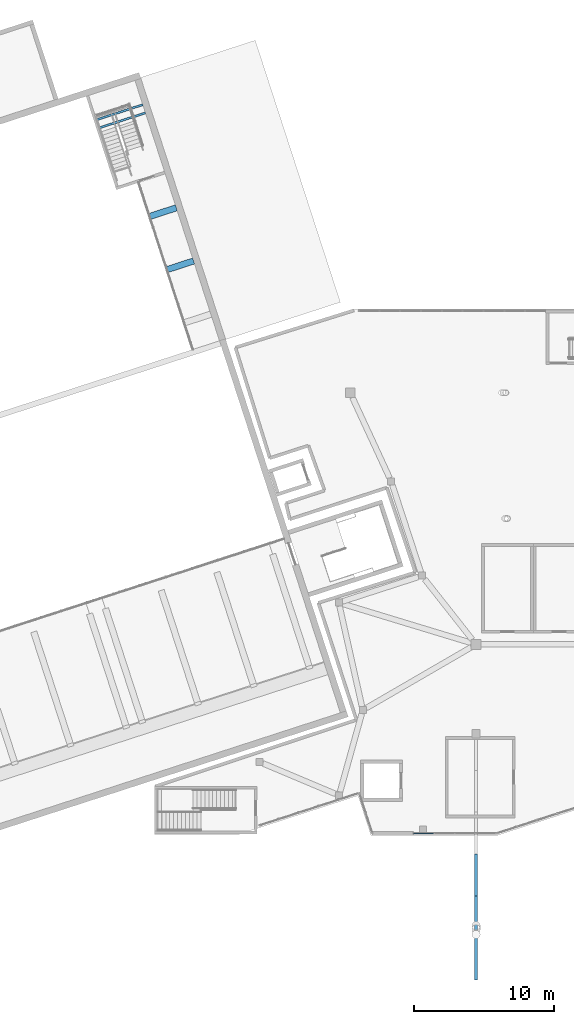
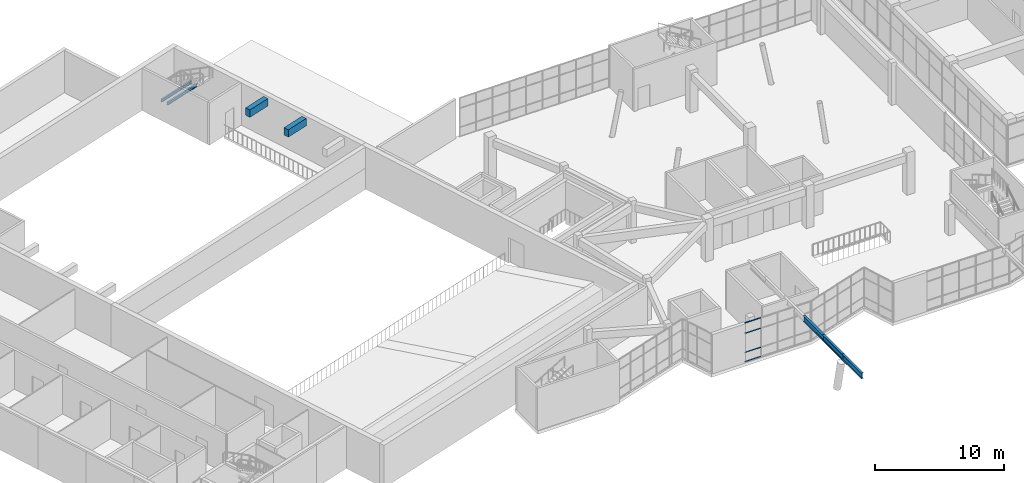
# One storey, part 5 of 65: 7 members, 4 beams, 1 element without a shape of its own.
"""IFC4 building model written with IfcOpenShell, lengths in metres."""

from ifc_helpers import new_model, si_unit, direction, frame, origin, origin_2d, place, context, subcontext, project, spatial, rectangle, hollow_rectangle, i_section, extrude, material, layer, layer_set, material_profile, profile_set, type_object, element, aggregate, save


model = new_model("IFC4")

# Units and contexts
model_context = context("Model", 3, precision=1e-05, world=origin(), true_north=direction((0.0, 1.0)))
body_context = subcontext(model_context, "Body", "Model", "MODEL_VIEW")
ifc_project = project(units=[si_unit("LENGTHUNIT", "METRE"), si_unit("AREAUNIT", "SQUARE_METRE"), si_unit("VOLUMEUNIT", "CUBIC_METRE"), si_unit("PLANEANGLEUNIT", "RADIAN"), si_unit("MASSUNIT", "GRAM", prefix="KILO")], contexts=[model_context])

# Site, building, storey
site_placement = place(None, origin())
site = spatial("IfcSite", under=ifc_project, at=site_placement, CompositionType="ELEMENT")
building_placement = place(site_placement, origin())
building = spatial("IfcBuilding", under=site, at=building_placement, Name="Tuart Plaza Theatre", CompositionType="ELEMENT")
storey_placement = place(building_placement, frame((0.0, 0.0, 9.5)))
storey = spatial("IfcBuildingStorey", under=building, at=storey_placement, Name="L02", CompositionType="ELEMENT", Elevation=9.5)

# Beams
ifc_material_1 = material(Name="Steel Grade 300", Category="steel")
ifc_material_profile_1 = material_profile(ifc_material_1, i_section(OverallWidth=0.14599609375, OverallDepth=0.256103515625, WebThickness=0.00634765625, FlangeThickness=0.010986328125, FilletRadius=0.0087890625, at=origin_2d()), Name="250UB37.3")
ifc_profile_set_1 = profile_set([ifc_material_profile_1], Name="Steel Grade 300")
beam_type_1 = type_object("IfcBeamType", Name="BEAM 250UB37.3", PredefinedType="BEAM", material=ifc_profile_set_1)
for number, where, z_axis, x_axis, name in (
    (1, (59.861572265625, 93.521484375, 1.672119140625), (0.951044910246, 0.30905271184, 0.0), (-0.30905271184, 0.951044910246, 0.0), "SB45"),
    (2, (60.0517578125, 92.936767578125, 1.672119140625), (0.951065558197, 0.308989164878, 0.0), (-0.308989164878, 0.951065558197, 0.0), "SB46"),
):
    element("IfcBeam", number, at=place(storey_placement, frame(where, z_axis=z_axis, x_axis=x_axis)), inside=storey, type_object=beam_type_1, Name=name, PredefinedType="BEAM", context=body_context, shape_type="SweptSolid", body=[
        extrude(i_section(OverallWidth=0.14599609375, OverallDepth=0.256103515625, WebThickness=0.00634765625, FlangeThickness=0.010986328125, FilletRadius=0.0087890625, at=origin_2d()), origin(), (0.0, 0.0, 1.0), 3.47509765625),
    ])
ifc_material_2 = material(Name="Concrete N40 (40 MPa)", Category="concrete")
ifc_material_profile_2 = material_profile(ifc_material_2, rectangle(XDim=0.449951171875, YDim=0.699951171875, at=origin_2d()), Name="BEAM 450x700 Concrete N40 (40 MPa)")
ifc_profile_set_2 = profile_set([ifc_material_profile_2], Name="Concrete N40 (40 MPa)")
beam_type_2 = type_object("IfcBeamType", Name="BEAM 450x700 Concrete N40 (40 MPa)", PredefinedType="BEAM", material=ifc_profile_set_2)
beam_1_placement = place(storey_placement, frame((66.79833984375, 83.418212890625, 3.449951171875), z_axis=(-0.951044442793, -0.309054150324, 0.0), x_axis=(0.309054150324, -0.951044442793, 0.0)))
element("IfcBeam", 3, at=beam_1_placement, inside=storey, type_object=beam_type_2, Name="RB51", PredefinedType="BEAM", context=body_context, shape_type="SweptSolid", body=[
    extrude(rectangle(XDim=0.449951171875, YDim=0.699951171875, at=origin_2d()), origin(), (0.0, 0.0, 1.0), 2.0751953125),
])
beam_2_placement = place(storey_placement, frame((65.562255859375, 87.222412109375, 3.449951171875), z_axis=(-0.951033204081, -0.309088732787, 0.0), x_axis=(0.309088732787, -0.951033204081, 0.0)))
element("IfcBeam", 4, at=beam_2_placement, inside=storey, type_object=beam_type_2, Name="RB52", PredefinedType="BEAM", context=body_context, shape_type="SweptSolid", body=[
    extrude(rectangle(XDim=0.449951171875, YDim=0.699951171875, at=origin_2d()), origin(), (0.0, 0.0, 1.0), 2.074951171875),
])

# Members
ifc_material_3 = material(Name="Steel Grade 300", Category="steel")
ifc_material_profile_3 = material_profile(ifc_material_3, i_section(OverallWidth=0.208984375, OverallDepth=0.532958984375, WebThickness=0.01025390625, FlangeThickness=0.015625, FilletRadius=0.013916015625, at=origin_2d()), Name="530UB92.4")
ifc_profile_set_3 = profile_set([ifc_material_profile_3], Name="Steel Grade 300")
member_type_1 = type_object("IfcMemberType", Name="BELT TRUSS Chord 530UB92.4", PredefinedType="CHORD", material=ifc_profile_set_3)
for number, where, z_axis, x_axis, name in (
    (5, (87.0, 32.0, 3.47998046875), (0.0, 1.0, 0.0), (-1.0, 0.0, 0.0), "CH36"),
    (6, (87.0, 35.0, 3.47998046875), (0.0, 1.0, 0.0), (-1.0, 0.0, 0.0), "CH37"),
    (7, (87.0, 38.0, 3.47998046875), (0.0, 1.0, 0.0), (-1.0, 0.0, 0.0), "CH38"),
):
    element("IfcMember", number, at=place(storey_placement, frame(where, z_axis=z_axis, x_axis=x_axis)), inside=storey, type_object=member_type_1, Name=name, PredefinedType="CHORD", context=body_context, shape_type="SweptSolid", body=[
        extrude(i_section(OverallWidth=0.208984375, OverallDepth=0.532958984375, WebThickness=0.01025390625, FlangeThickness=0.015625, FilletRadius=0.013916015625, at=origin_2d()), origin(), (0.0, 0.0, 1.0), 3.0),
    ])

# Curtain wall, members
ifc_material_4 = material(Name="Aluminium and glass", Category="aluminium")
ifc_layer = layer(ifc_material_4, 0.10009765625)
ifc_layer_set = layer_set([ifc_layer], Name="CURTAIN WALL 1500 module")
curtain_wall_type = type_object("IfcCurtainWallType", Name="CURTAIN WALL 1500 module", PredefinedType="NOTDEFINED", material=ifc_layer_set)
curtain_wall_placement = place(storey_placement, origin())
curtain_wall = element("IfcCurtainWall", 8, at=curtain_wall_placement, inside=storey, type_object=curtain_wall_type, Name="CW27", PredefinedType="NOTDEFINED")
ifc_material_5 = material(Name="Aluminium 6063-T5", Category="aluminium")
ifc_material_profile_4 = material_profile(ifc_material_5, hollow_rectangle(XDim=0.050048828125, YDim=0.050048828125, WallThickness=0.00390625, InnerFilletRadius=0.00390625, OuterFilletRadius=0.008056640625, at=origin_2d()), Name="RHS 50x50x4")
ifc_profile_set_4 = profile_set([ifc_material_profile_4], Name="Aluminium 6063-T5")
member_type_2 = type_object("IfcMemberType", Name="TRANSOM RHS 50x50x4", PredefinedType="USERDEFINED", material=ifc_profile_set_4)
member_1_placement = place(storey_placement, frame((82.537109375, 42.47802734375, 0.02490234375), z_axis=(1.0, 0.0, 0.0), x_axis=(0.0, 1.0, 0.0)))
member_1 = element("IfcMember", 9, at=member_1_placement, type_object=member_type_2, Name="CW27 transom 1.1", ObjectType="TRANSOM", PredefinedType="USERDEFINED", context=body_context, shape_type="SweptSolid", body=[
    extrude(hollow_rectangle(XDim=0.050048828125, YDim=0.050048828125, WallThickness=0.00390625, InnerFilletRadius=0.00390625, OuterFilletRadius=0.008056640625, at=origin_2d()), origin(), (0.0, 0.0, 1.0), 1.4189453125),
])
member_2_placement = place(storey_placement, frame((82.537109375, 42.47802734375, 0.89990234375), z_axis=(1.0, 0.0, 0.0), x_axis=(0.0, 1.0, 0.0)))
member_2 = element("IfcMember", 10, at=member_2_placement, type_object=member_type_2, Name="CW27 transom 1.2", ObjectType="TRANSOM", PredefinedType="USERDEFINED", context=body_context, shape_type="SweptSolid", body=[
    extrude(hollow_rectangle(XDim=0.050048828125, YDim=0.050048828125, WallThickness=0.00390625, InnerFilletRadius=0.00390625, OuterFilletRadius=0.008056640625, at=origin_2d()), origin(), (0.0, 0.0, 1.0), 1.4189453125),
])
member_3_placement = place(storey_placement, frame((82.537109375, 42.47802734375, 2.699951171875), z_axis=(1.0, 0.0, 0.0), x_axis=(0.0, 1.0, 0.0)))
member_3 = element("IfcMember", 11, at=member_3_placement, type_object=member_type_2, Name="CW27 transom 1.3", ObjectType="TRANSOM", PredefinedType="USERDEFINED", context=body_context, shape_type="SweptSolid", body=[
    extrude(hollow_rectangle(XDim=0.050048828125, YDim=0.050048828125, WallThickness=0.00390625, InnerFilletRadius=0.00390625, OuterFilletRadius=0.008056640625, at=origin_2d()), origin(), (0.0, 0.0, 1.0), 1.4189453125),
])
member_4_placement = place(storey_placement, frame((82.537109375, 42.47802734375, 3.675048828125), z_axis=(1.0, 0.0, 0.0), x_axis=(0.0, 1.0, 0.0)))
member_4 = element("IfcMember", 12, at=member_4_placement, type_object=member_type_2, Name="CW27 transom 1.4", ObjectType="TRANSOM", PredefinedType="USERDEFINED", context=body_context, shape_type="SweptSolid", body=[
    extrude(hollow_rectangle(XDim=0.050048828125, YDim=0.050048828125, WallThickness=0.00390625, InnerFilletRadius=0.00390625, OuterFilletRadius=0.008056640625, at=origin_2d()), origin(), (0.0, 0.0, 1.0), 1.4189453125),
])
aggregate(curtain_wall, [member_1, member_2, member_3, member_4])

save(model, "model.ifc")
